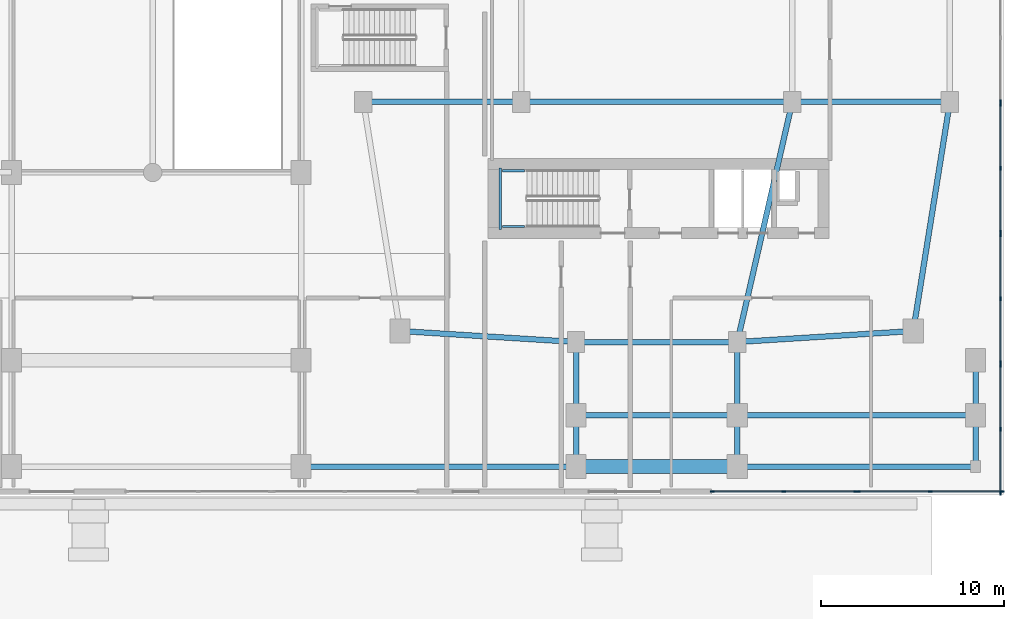
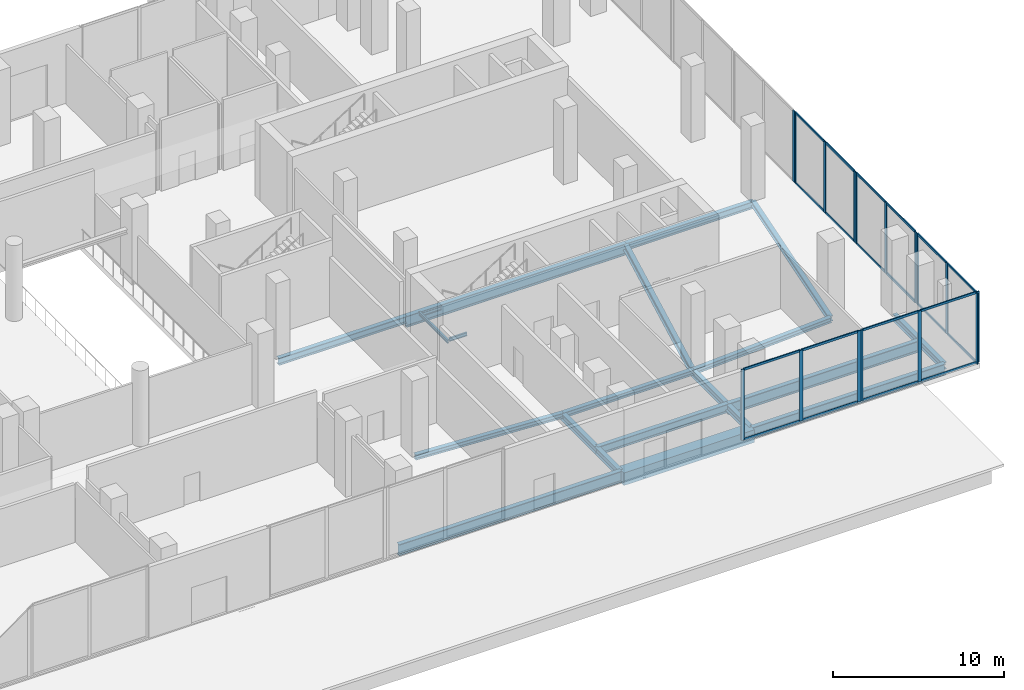
# One storey, part 8 of 24: 36 members, 22 beams, 6 elements without a shape of their own.
"""IFC4 building model written with IfcOpenShell, lengths in metres."""

from ifc_helpers import new_model, si_unit, derived_unit, direction, frame, origin, origin_2d, place, context, subcontext, project, spatial, rectangle, i_section, extrude, material, layer, layer_set, material_profile, profile_set, type_object, element, aggregate, save


model = new_model("IFC4")

# Units and contexts
model_context = context("Model", 3, precision=1e-05, world=origin(), true_north=direction((0.0, 1.0)))
body_context = subcontext(model_context, "Body", "Model", "MODEL_VIEW")
ifc_project = project(units=[si_unit("LENGTHUNIT", "METRE"), si_unit("AREAUNIT", "SQUARE_METRE"), si_unit("VOLUMEUNIT", "CUBIC_METRE"), si_unit("PLANEANGLEUNIT", "RADIAN"), si_unit("MASSUNIT", "GRAM", prefix="KILO"), derived_unit("THERMALTRANSMITTANCEUNIT", [(si_unit("POWERUNIT", "WATT"), 1), (si_unit("LENGTHUNIT", "METRE"), -2), (si_unit("THERMODYNAMICTEMPERATUREUNIT", "KELVIN"), -1)])], contexts=[model_context])

# Site, building, storey
site_placement = place(None, origin())
site = spatial("IfcSite", under=ifc_project, at=site_placement, CompositionType="ELEMENT")
building_placement = place(site_placement, origin())
building = spatial("IfcBuilding", under=site, at=building_placement, Name="Kivonza Crest Hotel", CompositionType="ELEMENT")
storey_placement = place(building_placement, origin())
storey = spatial("IfcBuildingStorey", under=building, at=storey_placement, Name="L00", CompositionType="ELEMENT", Elevation=0.0)

# Beams
ifc_material_1 = material(Name="Steel S355", Category="steel")
ifc_material_profile_1 = material_profile(ifc_material_1, i_section(OverallWidth=0.300048828125, OverallDepth=0.360107421875, WebThickness=0.012451171875, FlangeThickness=0.0224609375, FilletRadius=0.027099609375, at=origin_2d()), Name="HEB 360")
ifc_profile_set_1 = profile_set([ifc_material_profile_1], Name="Steel S355")
beam_type_1 = type_object("IfcBeamType", Name="BM-HEB360", PredefinedType="SPANDREL", material=ifc_profile_set_1)
beam_1_placement = place(storey_placement, frame((72.60009765625, 8.39990234375, -0.530029296875), z_axis=(1.0, 0.0, 0.0), x_axis=(0.0, 1.0, 0.0)))
element("IfcBeam", 1, at=beam_1_placement, inside=storey, type_object=beam_type_1, Name="Companion Tower T2 L00 perimeter spandrel S1-S2", PredefinedType="SPANDREL", context=body_context, shape_type="SweptSolid", body=[
    extrude(i_section(OverallWidth=0.300048828125, OverallDepth=0.360107421875, WebThickness=0.012451171875, FlangeThickness=0.0224609375, FilletRadius=0.027099609375, at=origin_2d()), origin(), (0.0, 0.0, 1.0), 8.7998046875),
])
beam_2_placement = place(storey_placement, frame((81.39990234375, 8.39990234375, -0.530029296875), z_axis=(0.998051985873, 0.062387767186, 0.0), x_axis=(-0.062387767186, 0.998051985873, 0.0)))
element("IfcBeam", 2, at=beam_2_placement, inside=storey, type_object=beam_type_1, Name="Companion Tower T2 L00 perimeter spandrel S2-SE", PredefinedType="SPANDREL", context=body_context, shape_type="SweptSolid", body=[
    extrude(i_section(OverallWidth=0.300048828125, OverallDepth=0.360107421875, WebThickness=0.012451171875, FlangeThickness=0.0224609375, FilletRadius=0.027099609375, at=origin_2d()), origin(), (0.0, 0.0, 1.0), 9.618896484375),
])
beam_3_placement = place(storey_placement, frame((91.0, 9.0, -0.530029296875), z_axis=(0.157990501107, 0.987440631917, 0.0), x_axis=(-0.987440631917, 0.157990501107, 0.0)))
element("IfcBeam", 3, at=beam_3_placement, inside=storey, type_object=beam_type_1, Name="Companion Tower T2 L00 perimeter spandrel SE-E1", PredefinedType="SPANDREL", context=body_context, shape_type="SweptSolid", body=[
    extrude(i_section(OverallWidth=0.300048828125, OverallDepth=0.360107421875, WebThickness=0.012451171875, FlangeThickness=0.0224609375, FilletRadius=0.027099609375, at=origin_2d()), origin(), (0.0, 0.0, 1.0), 12.658935546875),
])
beam_4_placement = place(storey_placement, frame((63.0, 9.0, -0.530029296875), z_axis=(0.998051985873, -0.062387767186, 0.0), x_axis=(0.062387767186, 0.998051985873, 0.0)))
element("IfcBeam", 4, at=beam_4_placement, inside=storey, type_object=beam_type_1, Name="Companion Tower T2 L00 perimeter spandrel SW-S1", PredefinedType="SPANDREL", context=body_context, shape_type="SweptSolid", body=[
    extrude(i_section(OverallWidth=0.300048828125, OverallDepth=0.360107421875, WebThickness=0.012451171875, FlangeThickness=0.0224609375, FilletRadius=0.027099609375, at=origin_2d()), origin(), (0.0, 0.0, 1.0), 9.618896484375),
])
ifc_material_profile_2 = material_profile(ifc_material_1, i_section(OverallWidth=0.300048828125, OverallDepth=0.5, WebThickness=0.014404296875, FlangeThickness=0.028076171875, FilletRadius=0.027099609375, at=origin_2d()), Name="HEB 500")
ifc_profile_set_2 = profile_set([ifc_material_profile_2], Name="Steel S355")
beam_type_2 = type_object("IfcBeamType", Name="BM-HEB500", PredefinedType="BEAM", material=ifc_profile_set_2)
for number, where, z_axis, x_axis, name in (
    (5, (61.0, 21.5, -0.60009765625), (1.0, 0.0, 0.0), (0.0, 1.0, 0.0), "Companion Tower T2 L00 girder W1-WL1"),
    (6, (84.39990234375, 21.5, -0.60009765625), (1.0, 0.0, 0.0), (0.0, 1.0, 0.0), "Companion Tower T2 L00 girder WR1-E1"),
):
    element("IfcBeam", number, at=place(storey_placement, frame(where, z_axis=z_axis, x_axis=x_axis)), inside=storey, type_object=beam_type_2, Name=name, PredefinedType="BEAM", context=body_context, shape_type="SweptSolid", body=[
        extrude(i_section(OverallWidth=0.300048828125, OverallDepth=0.5, WebThickness=0.014404296875, FlangeThickness=0.028076171875, FilletRadius=0.027099609375, at=origin_2d()), origin(), (0.0, 0.0, 1.0), 8.60009765625),
    ])
beam_5_placement = place(storey_placement, frame((84.39990234375, 21.5, -0.60009765625), z_axis=(-0.223227287589, -0.974766422317, 0.0), x_axis=(0.974766422317, -0.223227287589, 0.0)))
element("IfcBeam", 7, at=beam_5_placement, inside=storey, type_object=beam_type_2, Name="Companion Tower T2 L00 girder WR1-S2", PredefinedType="BEAM", context=body_context, shape_type="SweptSolid", body=[
    extrude(i_section(OverallWidth=0.300048828125, OverallDepth=0.5, WebThickness=0.014404296875, FlangeThickness=0.028076171875, FilletRadius=0.027099609375, at=origin_2d()), origin(), (0.0, 0.0, 1.0), 13.439208984375),
])
beam_6_placement = place(storey_placement, frame((72.60009765625, 1.60009765625, -0.60009765625), z_axis=(0.0, 1.0, 0.0), x_axis=(-1.0, 0.0, 0.0)))
element("IfcBeam", 8, at=beam_6_placement, inside=storey, type_object=beam_type_2, Name="L00 podium girder Y 83", PredefinedType="BEAM", context=body_context, shape_type="SweptSolid", body=[
    extrude(i_section(OverallWidth=0.300048828125, OverallDepth=0.5, WebThickness=0.014404296875, FlangeThickness=0.028076171875, FilletRadius=0.027099609375, at=origin_2d()), origin(), (0.0, 0.0, 1.0), 2.7998046875),
])
beam_7_placement = place(storey_placement, frame((72.60009765625, 4.39990234375, -0.60009765625), z_axis=(0.0, 1.0, 0.0), x_axis=(-1.0, 0.0, 0.0)))
element("IfcBeam", 9, at=beam_7_placement, inside=storey, type_object=beam_type_2, Name="L00 podium girder Y 84", PredefinedType="BEAM", context=body_context, shape_type="SweptSolid", body=[
    extrude(i_section(OverallWidth=0.300048828125, OverallDepth=0.5, WebThickness=0.014404296875, FlangeThickness=0.028076171875, FilletRadius=0.027099609375, at=origin_2d()), origin(), (0.0, 0.0, 1.0), 4.0),
])
beam_8_placement = place(storey_placement, frame((81.39990234375, 1.60009765625, -0.60009765625), z_axis=(0.0, 1.0, 0.0), x_axis=(-1.0, 0.0, 0.0)))
element("IfcBeam", 10, at=beam_8_placement, inside=storey, type_object=beam_type_2, Name="L00 podium girder Y 87", PredefinedType="BEAM", context=body_context, shape_type="SweptSolid", body=[
    extrude(i_section(OverallWidth=0.300048828125, OverallDepth=0.5, WebThickness=0.014404296875, FlangeThickness=0.028076171875, FilletRadius=0.027099609375, at=origin_2d()), origin(), (0.0, 0.0, 1.0), 2.7998046875),
])
beam_9_placement = place(storey_placement, frame((81.39990234375, 4.39990234375, -0.60009765625), z_axis=(0.0, 1.0, 0.0), x_axis=(-1.0, 0.0, 0.0)))
element("IfcBeam", 11, at=beam_9_placement, inside=storey, type_object=beam_type_2, Name="L00 podium girder Y 88", PredefinedType="BEAM", context=body_context, shape_type="SweptSolid", body=[
    extrude(i_section(OverallWidth=0.300048828125, OverallDepth=0.5, WebThickness=0.014404296875, FlangeThickness=0.028076171875, FilletRadius=0.027099609375, at=origin_2d()), origin(), (0.0, 0.0, 1.0), 4.0),
])
beam_10_placement = place(storey_placement, frame((94.39990234375, 1.60009765625, -0.60009765625), z_axis=(0.0, 1.0, 0.0), x_axis=(-1.0, 0.0, 0.0)))
element("IfcBeam", 12, at=beam_10_placement, inside=storey, type_object=beam_type_2, Name="L00 podium girder Y 93", PredefinedType="BEAM", context=body_context, shape_type="SweptSolid", body=[
    extrude(i_section(OverallWidth=0.300048828125, OverallDepth=0.5, WebThickness=0.014404296875, FlangeThickness=0.028076171875, FilletRadius=0.027099609375, at=origin_2d()), origin(), (0.0, 0.0, 1.0), 2.7998046875),
])
beam_11_placement = place(storey_placement, frame((94.39990234375, 4.39990234375, -0.60009765625), z_axis=(0.0, 1.0, 0.0), x_axis=(-1.0, 0.0, 0.0)))
element("IfcBeam", 13, at=beam_11_placement, inside=storey, type_object=beam_type_2, Name="L00 podium girder Y 94", PredefinedType="BEAM", context=body_context, shape_type="SweptSolid", body=[
    extrude(i_section(OverallWidth=0.300048828125, OverallDepth=0.5, WebThickness=0.014404296875, FlangeThickness=0.028076171875, FilletRadius=0.027099609375, at=origin_2d()), origin(), (0.0, 0.0, 1.0), 3.0),
])
ifc_material_profile_3 = material_profile(ifc_material_1, i_section(OverallWidth=0.300048828125, OverallDepth=0.60009765625, WebThickness=0.015380859375, FlangeThickness=0.030029296875, FilletRadius=0.027099609375, at=origin_2d()), Name="HEB 600")
ifc_profile_set_3 = profile_set([ifc_material_profile_3], Name="Steel S355")
beam_type_3 = type_object("IfcBeamType", Name="BM-HEB600", PredefinedType="BEAM", material=ifc_profile_set_3)
beam_12_placement = place(storey_placement, frame((72.60009765625, 4.39990234375, -0.64990234375), z_axis=(1.0, 0.0, 0.0), x_axis=(0.0, 1.0, 0.0)))
element("IfcBeam", 14, at=beam_12_placement, inside=storey, type_object=beam_type_3, Name="L00 podium girder X 10", PredefinedType="BEAM", context=body_context, shape_type="SweptSolid", body=[
    extrude(i_section(OverallWidth=0.300048828125, OverallDepth=0.60009765625, WebThickness=0.015380859375, FlangeThickness=0.030029296875, FilletRadius=0.027099609375, at=origin_2d()), origin(), (0.0, 0.0, 1.0), 8.7998046875),
])
ifc_material_profile_4 = material_profile(ifc_material_1, i_section(OverallWidth=0.300048828125, OverallDepth=0.800048828125, WebThickness=0.017578125, FlangeThickness=0.032958984375, FilletRadius=0.030029296875, at=origin_2d()), Name="HEB 800")
ifc_profile_set_4 = profile_set([ifc_material_profile_4], Name="Steel S355")
beam_type_4 = type_object("IfcBeamType", Name="BM-HEB800", PredefinedType="BEAM", material=ifc_profile_set_4)
beam_13_placement = place(storey_placement, frame((57.60009765625, 1.60009765625, -0.75), z_axis=(1.0, 0.0, 0.0), x_axis=(0.0, 1.0, 0.0)))
element("IfcBeam", 15, at=beam_13_placement, inside=storey, type_object=beam_type_4, Name="L00 podium girder X 5", PredefinedType="BEAM", context=body_context, shape_type="SweptSolid", body=[
    extrude(i_section(OverallWidth=0.300048828125, OverallDepth=0.800048828125, WebThickness=0.017578125, FlangeThickness=0.032958984375, FilletRadius=0.030029296875, at=origin_2d()), origin(), (0.0, 0.0, 1.0), 15.0),
])
for number, where, z_axis, x_axis, name in (
    (16, (81.39990234375, 1.60009765625, -0.75), (1.0, 0.0, 0.0), (0.0, 1.0, 0.0), "L00 podium girder X 7"),
    (17, (81.39990234375, 4.39990234375, -0.75), (1.0, 0.0, 0.0), (0.0, 1.0, 0.0), "L00 podium girder X 11"),
):
    element("IfcBeam", number, at=place(storey_placement, frame(where, z_axis=z_axis, x_axis=x_axis)), inside=storey, type_object=beam_type_4, Name=name, PredefinedType="BEAM", context=body_context, shape_type="SweptSolid", body=[
        extrude(i_section(OverallWidth=0.300048828125, OverallDepth=0.800048828125, WebThickness=0.017578125, FlangeThickness=0.032958984375, FilletRadius=0.030029296875, at=origin_2d()), origin(), (0.0, 0.0, 1.0), 13.0),
    ])
beam_14_placement = place(storey_placement, frame((69.60009765625, 21.5, -0.75), z_axis=(1.0, 0.0, 0.0), x_axis=(0.0, 1.0, 0.0)))
element("IfcBeam", 18, at=beam_14_placement, inside=storey, type_object=beam_type_4, Name="L00 podium girder X 23", PredefinedType="BEAM", context=body_context, shape_type="SweptSolid", body=[
    extrude(i_section(OverallWidth=0.300048828125, OverallDepth=0.800048828125, WebThickness=0.017578125, FlangeThickness=0.032958984375, FilletRadius=0.030029296875, at=origin_2d()), origin(), (0.0, 0.0, 1.0), 14.7998046875),
])
ifc_material_profile_5 = material_profile(ifc_material_1, i_section(OverallWidth=0.1201171875, OverallDepth=0.239990234375, WebThickness=0.006103515625, FlangeThickness=0.009765625, FilletRadius=0.014892578125, at=origin_2d()), Name="IPE 240")
ifc_profile_set_5 = profile_set([ifc_material_profile_5], Name="Steel S355")
beam_type_5 = type_object("IfcBeamType", Name="BM-LLDG-240", PredefinedType="BEAM", material=ifc_profile_set_5)
beam_15_placement = place(storey_placement, frame((68.4599609375, 14.5400390625, 2.3798828125), z_axis=(0.0, 1.0, 0.0), x_axis=(-1.0, 0.0, 0.0)))
element("IfcBeam", 19, at=beam_15_placement, inside=storey, type_object=beam_type_5, Name="Stair ST-T2-S L00 West landing corbel", PredefinedType="BEAM", context=body_context, shape_type="SweptSolid", body=[
    extrude(i_section(OverallWidth=0.1201171875, OverallDepth=0.239990234375, WebThickness=0.006103515625, FlangeThickness=0.009765625, FilletRadius=0.014892578125, at=origin_2d()), origin(), (0.0, 0.0, 1.0), 3.35986328125),
])
for number, where, z_axis, x_axis, name in (
    (20, (68.590087890625, 14.699951171875, 2.3798828125), (1.0, 0.0, 0.0), (0.0, 1.0, 0.0), "Stair ST-T2-S L00 South landing corbel"),
    (21, (68.590087890625, 17.739990234375, 2.3798828125), (1.0, 0.0, 0.0), (0.0, 1.0, 0.0), "Stair ST-T2-S L00 North landing corbel"),
):
    element("IfcBeam", number, at=place(storey_placement, frame(where, z_axis=z_axis, x_axis=x_axis)), inside=storey, type_object=beam_type_5, Name=name, PredefinedType="BEAM", context=body_context, shape_type="SweptSolid", body=[
        extrude(i_section(OverallWidth=0.1201171875, OverallDepth=0.239990234375, WebThickness=0.006103515625, FlangeThickness=0.009765625, FilletRadius=0.014892578125, at=origin_2d()), origin(), (0.0, 0.0, 1.0), 1.2099609375),
    ])
ifc_material_2 = material(Name="Concrete C40/50", Category="concrete")
ifc_material_profile_6 = material_profile(ifc_material_2, rectangle(XDim=0.75, YDim=0.89990234375, at=origin_2d()), Name="RC 900x750")
ifc_profile_set_6 = profile_set([ifc_material_profile_6], Name="Concrete C40/50")
beam_type_6 = type_object("IfcBeamType", Name="BM-RCT-900x750", PredefinedType="T_BEAM", material=ifc_profile_set_6)
beam_16_placement = place(storey_placement, frame((72.60009765625, 1.60009765625, -0.800048828125), z_axis=(1.0, 0.0, 0.0), x_axis=(0.0, 1.0, 0.0)))
element("IfcBeam", 22, at=beam_16_placement, inside=storey, type_object=beam_type_6, Name="L00 reinforced concrete T-beam 6", PredefinedType="T_BEAM", context=body_context, shape_type="SweptSolid", body=[
    extrude(rectangle(XDim=0.75, YDim=0.89990234375, at=origin_2d()), origin(), (0.0, 0.0, 1.0), 8.7998046875),
])

# Curtain wall, members
ifc_material_3 = material(Name="Anodised bronze aluminium and low-E double glazing", Category="aluminium")
ifc_layer = layer(ifc_material_3, 0.219970703125)
ifc_layer_set = layer_set([ifc_layer], Name="Anodised bronze aluminium and low-E double glazing")
curtain_wall_type = type_object("IfcCurtainWallType", Name="CW-SYS-1", PredefinedType="NOTDEFINED", material=ifc_layer_set)
curtain_wall_1_placement = place(storey_placement, origin())
curtain_wall_1 = element("IfcCurtainWall", 23, at=curtain_wall_1_placement, inside=storey, type_object=curtain_wall_type, Name="L00 unitised curtain wall CW-POD-L00-11", PredefinedType="NOTDEFINED")
ifc_material_4 = material(Name="Anodised bronze aluminium", Category="aluminium")
ifc_material_profile_7 = material_profile(ifc_material_4, rectangle(XDim=0.074951171875, YDim=0.219970703125, at=origin_2d()), Name="CW-M 75x220")
ifc_profile_set_7 = profile_set([ifc_material_profile_7], Name="Anodised bronze aluminium")
member_type_1 = type_object("IfcMemberType", Name="CW-MUL-75x220", PredefinedType="MULLION", material=ifc_profile_set_7)
member_1_placement = place(storey_placement, frame((80.0244140625, 0.239990234375, 0.0), z_axis=(0.0, 0.0, 1.0), x_axis=(0.0, 1.0, 0.0)))
member_1 = element("IfcMember", 24, at=member_1_placement, type_object=member_type_1, Name="CW-1 mullion 1", PredefinedType="MULLION", context=body_context, shape_type="SweptSolid", body=[
    extrude(rectangle(XDim=0.074951171875, YDim=0.219970703125, at=origin_2d()), origin(), (0.0, 0.0, 1.0), 5.050048828125),
])
member_2_placement = place(storey_placement, frame((83.93994140625, 0.239990234375, 0.0), z_axis=(0.0, 0.0, 1.0), x_axis=(0.0, 1.0, 0.0)))
member_2 = element("IfcMember", 25, at=member_2_placement, type_object=member_type_1, Name="CW-1 mullion 2", PredefinedType="MULLION", context=body_context, shape_type="SweptSolid", body=[
    extrude(rectangle(XDim=0.074951171875, YDim=0.219970703125, at=origin_2d()), origin(), (0.0, 0.0, 1.0), 5.050048828125),
])
member_3_placement = place(storey_placement, frame((87.85546875, 0.239990234375, 0.0), z_axis=(0.0, 0.0, 1.0), x_axis=(0.0, 1.0, 0.0)))
member_3 = element("IfcMember", 26, at=member_3_placement, type_object=member_type_1, Name="CW-1 mullion 3", PredefinedType="MULLION", context=body_context, shape_type="SweptSolid", body=[
    extrude(rectangle(XDim=0.074951171875, YDim=0.219970703125, at=origin_2d()), origin(), (0.0, 0.0, 1.0), 5.050048828125),
])

curtain_wall_2_placement = place(storey_placement, origin())
curtain_wall_2 = element("IfcCurtainWall", 27, at=curtain_wall_2_placement, inside=storey, type_object=curtain_wall_type, Name="L00 unitised curtain wall CW-POD-L00-12", PredefinedType="NOTDEFINED")
member_4_placement = place(storey_placement, frame((88.010498046875, 0.239990234375, 0.0), z_axis=(0.0, 0.0, 1.0), x_axis=(0.0, 1.0, 0.0)))
member_4 = element("IfcMember", 28, at=member_4_placement, type_object=member_type_1, Name="CW-1 mullion 1", PredefinedType="MULLION", context=body_context, shape_type="SweptSolid", body=[
    extrude(rectangle(XDim=0.074951171875, YDim=0.219970703125, at=origin_2d()), origin(), (0.0, 0.0, 1.0), 5.050048828125),
])
member_5_placement = place(storey_placement, frame((91.926513671875, 0.239990234375, 0.0), z_axis=(0.0, 0.0, 1.0), x_axis=(0.0, 1.0, 0.0)))
member_5 = element("IfcMember", 29, at=member_5_placement, type_object=member_type_1, Name="CW-1 mullion 2", PredefinedType="MULLION", context=body_context, shape_type="SweptSolid", body=[
    extrude(rectangle(XDim=0.074951171875, YDim=0.219970703125, at=origin_2d()), origin(), (0.0, 0.0, 1.0), 5.050048828125),
])
member_6_placement = place(storey_placement, frame((95.842529296875, 0.239990234375, 0.0), z_axis=(0.0, 0.0, 1.0), x_axis=(0.0, 1.0, 0.0)))
member_6 = element("IfcMember", 30, at=member_6_placement, type_object=member_type_1, Name="CW-1 mullion 3", PredefinedType="MULLION", context=body_context, shape_type="SweptSolid", body=[
    extrude(rectangle(XDim=0.074951171875, YDim=0.219970703125, at=origin_2d()), origin(), (0.0, 0.0, 1.0), 5.050048828125),
])

curtain_wall_3_placement = place(storey_placement, origin())
curtain_wall_3 = element("IfcCurtainWall", 31, at=curtain_wall_3_placement, inside=storey, type_object=curtain_wall_type, Name="L00 unitised curtain wall CW-POD-L00-13", PredefinedType="NOTDEFINED")
member_7_placement = place(storey_placement, frame((95.760009765625, 0.157470703125, 0.0), z_axis=(0.0, 0.0, 1.0), x_axis=(-1.0, 0.0, 0.0)))
member_7 = element("IfcMember", 32, at=member_7_placement, type_object=member_type_1, Name="CW-1 mullion 1", PredefinedType="MULLION", context=body_context, shape_type="SweptSolid", body=[
    extrude(rectangle(XDim=0.074951171875, YDim=0.219970703125, at=origin_2d()), origin(), (0.0, 0.0, 1.0), 5.050048828125),
])
member_8_placement = place(storey_placement, frame((95.760009765625, 3.639892578125, 0.0), z_axis=(0.0, 0.0, 1.0), x_axis=(-1.0, 0.0, 0.0)))
member_8 = element("IfcMember", 33, at=member_8_placement, type_object=member_type_1, Name="CW-1 mullion 2", PredefinedType="MULLION", context=body_context, shape_type="SweptSolid", body=[
    extrude(rectangle(XDim=0.074951171875, YDim=0.219970703125, at=origin_2d()), origin(), (0.0, 0.0, 1.0), 5.050048828125),
])
member_9_placement = place(storey_placement, frame((95.760009765625, 7.12255859375, 0.0), z_axis=(0.0, 0.0, 1.0), x_axis=(-1.0, 0.0, 0.0)))
member_9 = element("IfcMember", 34, at=member_9_placement, type_object=member_type_1, Name="CW-1 mullion 3", PredefinedType="MULLION", context=body_context, shape_type="SweptSolid", body=[
    extrude(rectangle(XDim=0.074951171875, YDim=0.219970703125, at=origin_2d()), origin(), (0.0, 0.0, 1.0), 5.050048828125),
])

curtain_wall_4_placement = place(storey_placement, origin())
curtain_wall_4 = element("IfcCurtainWall", 35, at=curtain_wall_4_placement, inside=storey, type_object=curtain_wall_type, Name="L00 unitised curtain wall CW-POD-L00-14", PredefinedType="NOTDEFINED")
member_10_placement = place(storey_placement, frame((95.760009765625, 7.277587890625, 0.0), z_axis=(0.0, 0.0, 1.0), x_axis=(-1.0, 0.0, 0.0)))
member_10 = element("IfcMember", 36, at=member_10_placement, type_object=member_type_1, Name="CW-1 mullion 1", PredefinedType="MULLION", context=body_context, shape_type="SweptSolid", body=[
    extrude(rectangle(XDim=0.074951171875, YDim=0.219970703125, at=origin_2d()), origin(), (0.0, 0.0, 1.0), 5.050048828125),
])
member_11_placement = place(storey_placement, frame((95.760009765625, 10.760009765625, 0.0), z_axis=(0.0, 0.0, 1.0), x_axis=(-1.0, 0.0, 0.0)))
member_11 = element("IfcMember", 37, at=member_11_placement, type_object=member_type_1, Name="CW-1 mullion 2", PredefinedType="MULLION", context=body_context, shape_type="SweptSolid", body=[
    extrude(rectangle(XDim=0.074951171875, YDim=0.219970703125, at=origin_2d()), origin(), (0.0, 0.0, 1.0), 5.050048828125),
])
member_12_placement = place(storey_placement, frame((95.760009765625, 14.242431640625, 0.0), z_axis=(0.0, 0.0, 1.0), x_axis=(-1.0, 0.0, 0.0)))
member_12 = element("IfcMember", 38, at=member_12_placement, type_object=member_type_1, Name="CW-1 mullion 3", PredefinedType="MULLION", context=body_context, shape_type="SweptSolid", body=[
    extrude(rectangle(XDim=0.074951171875, YDim=0.219970703125, at=origin_2d()), origin(), (0.0, 0.0, 1.0), 5.050048828125),
])

curtain_wall_5_placement = place(storey_placement, origin())
curtain_wall_5 = element("IfcCurtainWall", 39, at=curtain_wall_5_placement, inside=storey, type_object=curtain_wall_type, Name="L00 unitised curtain wall CW-POD-L00-15", PredefinedType="NOTDEFINED")
member_13_placement = place(storey_placement, frame((95.760009765625, 14.3974609375, 0.0), z_axis=(0.0, 0.0, 1.0), x_axis=(-1.0, 0.0, 0.0)))
member_13 = element("IfcMember", 40, at=member_13_placement, type_object=member_type_1, Name="CW-1 mullion 1", PredefinedType="MULLION", context=body_context, shape_type="SweptSolid", body=[
    extrude(rectangle(XDim=0.074951171875, YDim=0.219970703125, at=origin_2d()), origin(), (0.0, 0.0, 1.0), 5.050048828125),
])
member_14_placement = place(storey_placement, frame((95.760009765625, 17.8798828125, 0.0), z_axis=(0.0, 0.0, 1.0), x_axis=(-1.0, 0.0, 0.0)))
member_14 = element("IfcMember", 41, at=member_14_placement, type_object=member_type_1, Name="CW-1 mullion 2", PredefinedType="MULLION", context=body_context, shape_type="SweptSolid", body=[
    extrude(rectangle(XDim=0.074951171875, YDim=0.219970703125, at=origin_2d()), origin(), (0.0, 0.0, 1.0), 5.050048828125),
])
member_15_placement = place(storey_placement, frame((95.760009765625, 21.362548828125, 0.0), z_axis=(0.0, 0.0, 1.0), x_axis=(-1.0, 0.0, 0.0)))
member_15 = element("IfcMember", 42, at=member_15_placement, type_object=member_type_1, Name="CW-1 mullion 3", PredefinedType="MULLION", context=body_context, shape_type="SweptSolid", body=[
    extrude(rectangle(XDim=0.074951171875, YDim=0.219970703125, at=origin_2d()), origin(), (0.0, 0.0, 1.0), 5.050048828125),
])

# Curtain wall, member
curtain_wall_6_placement = place(storey_placement, origin())
curtain_wall_6 = element("IfcCurtainWall", 43, at=curtain_wall_6_placement, inside=storey, type_object=curtain_wall_type, Name="L00 unitised curtain wall CW-POD-L00-16", PredefinedType="NOTDEFINED")
member_16_placement = place(storey_placement, frame((95.760009765625, 21.517578125, 0.0), z_axis=(0.0, 0.0, 1.0), x_axis=(-1.0, 0.0, 0.0)))
member_16 = element("IfcMember", 44, at=member_16_placement, type_object=member_type_1, Name="CW-1 mullion 1", PredefinedType="MULLION", context=body_context, shape_type="SweptSolid", body=[
    extrude(rectangle(XDim=0.074951171875, YDim=0.219970703125, at=origin_2d()), origin(), (0.0, 0.0, 1.0), 5.050048828125),
])
aggregate(curtain_wall_6, [member_16])

# Member
ifc_material_profile_8 = material_profile(ifc_material_4, rectangle(XDim=0.074951171875, YDim=0.159912109375, at=origin_2d()), Name="CW-T 75x160")
ifc_profile_set_8 = profile_set([ifc_material_profile_8], Name="Anodised bronze aluminium")
member_type_2 = type_object("IfcMemberType", Name="CW-TRN-75x160", PredefinedType="USERDEFINED", material=ifc_profile_set_8)
member_17_placement = place(storey_placement, frame((80.06201171875, 0.239990234375, 0.03759765625), z_axis=(1.0, 0.0, 0.0), x_axis=(0.0, 1.0, 0.0)))
member_17 = element("IfcMember", 45, at=member_17_placement, type_object=member_type_2, Name="CW-1 transom 1.1", ObjectType="TRANSOM", PredefinedType="USERDEFINED", context=body_context, shape_type="SweptSolid", body=[
    extrude(rectangle(XDim=0.074951171875, YDim=0.159912109375, at=origin_2d()), origin(), (0.0, 0.0, 1.0), 3.840576171875),
])

member_18_placement = place(storey_placement, frame((80.06201171875, 0.239990234375, 5.012451171875), z_axis=(1.0, 0.0, 0.0), x_axis=(0.0, 1.0, 0.0)))
member_18 = element("IfcMember", 46, at=member_18_placement, type_object=member_type_2, Name="CW-1 transom 1.2", ObjectType="TRANSOM", PredefinedType="USERDEFINED", context=body_context, shape_type="SweptSolid", body=[
    extrude(rectangle(XDim=0.074951171875, YDim=0.159912109375, at=origin_2d()), origin(), (0.0, 0.0, 1.0), 3.840576171875),
])

member_19_placement = place(storey_placement, frame((83.9775390625, 0.239990234375, 0.03759765625), z_axis=(1.0, 0.0, 0.0), x_axis=(0.0, 1.0, 0.0)))
member_19 = element("IfcMember", 47, at=member_19_placement, type_object=member_type_2, Name="CW-1 transom 2.1", ObjectType="TRANSOM", PredefinedType="USERDEFINED", context=body_context, shape_type="SweptSolid", body=[
    extrude(rectangle(XDim=0.074951171875, YDim=0.159912109375, at=origin_2d()), origin(), (0.0, 0.0, 1.0), 3.840576171875),
])

member_20_placement = place(storey_placement, frame((83.9775390625, 0.239990234375, 5.012451171875), z_axis=(1.0, 0.0, 0.0), x_axis=(0.0, 1.0, 0.0)))
member_20 = element("IfcMember", 48, at=member_20_placement, type_object=member_type_2, Name="CW-1 transom 2.2", ObjectType="TRANSOM", PredefinedType="USERDEFINED", context=body_context, shape_type="SweptSolid", body=[
    extrude(rectangle(XDim=0.074951171875, YDim=0.159912109375, at=origin_2d()), origin(), (0.0, 0.0, 1.0), 3.840576171875),
])

aggregate(curtain_wall_1, [member_1, member_2, member_3, member_17, member_18, member_19, member_20])

member_21_placement = place(storey_placement, frame((88.048095703125, 0.239990234375, 0.03759765625), z_axis=(1.0, 0.0, 0.0), x_axis=(0.0, 1.0, 0.0)))
member_21 = element("IfcMember", 49, at=member_21_placement, type_object=member_type_2, Name="CW-1 transom 1.1", ObjectType="TRANSOM", PredefinedType="USERDEFINED", context=body_context, shape_type="SweptSolid", body=[
    extrude(rectangle(XDim=0.074951171875, YDim=0.159912109375, at=origin_2d()), origin(), (0.0, 0.0, 1.0), 3.8408203125),
])

member_22_placement = place(storey_placement, frame((88.048095703125, 0.239990234375, 5.012451171875), z_axis=(1.0, 0.0, 0.0), x_axis=(0.0, 1.0, 0.0)))
member_22 = element("IfcMember", 50, at=member_22_placement, type_object=member_type_2, Name="CW-1 transom 1.2", ObjectType="TRANSOM", PredefinedType="USERDEFINED", context=body_context, shape_type="SweptSolid", body=[
    extrude(rectangle(XDim=0.074951171875, YDim=0.159912109375, at=origin_2d()), origin(), (0.0, 0.0, 1.0), 3.8408203125),
])

member_23_placement = place(storey_placement, frame((91.964111328125, 0.239990234375, 0.03759765625), z_axis=(1.0, 0.0, 0.0), x_axis=(0.0, 1.0, 0.0)))
member_23 = element("IfcMember", 51, at=member_23_placement, type_object=member_type_2, Name="CW-1 transom 2.1", ObjectType="TRANSOM", PredefinedType="USERDEFINED", context=body_context, shape_type="SweptSolid", body=[
    extrude(rectangle(XDim=0.074951171875, YDim=0.159912109375, at=origin_2d()), origin(), (0.0, 0.0, 1.0), 3.8408203125),
])

member_24_placement = place(storey_placement, frame((91.964111328125, 0.239990234375, 5.012451171875), z_axis=(1.0, 0.0, 0.0), x_axis=(0.0, 1.0, 0.0)))
member_24 = element("IfcMember", 52, at=member_24_placement, type_object=member_type_2, Name="CW-1 transom 2.2", ObjectType="TRANSOM", PredefinedType="USERDEFINED", context=body_context, shape_type="SweptSolid", body=[
    extrude(rectangle(XDim=0.074951171875, YDim=0.159912109375, at=origin_2d()), origin(), (0.0, 0.0, 1.0), 3.8408203125),
])

aggregate(curtain_wall_2, [member_4, member_5, member_6, member_21, member_22, member_23, member_24])

member_25_placement = place(storey_placement, frame((95.760009765625, 0.195068359375, 0.03759765625), z_axis=(0.0, 1.0, 0.0), x_axis=(-1.0, 0.0, 0.0)))
member_25 = element("IfcMember", 53, at=member_25_placement, type_object=member_type_2, Name="CW-1 transom 1.1", ObjectType="TRANSOM", PredefinedType="USERDEFINED", context=body_context, shape_type="SweptSolid", body=[
    extrude(rectangle(XDim=0.074951171875, YDim=0.159912109375, at=origin_2d()), origin(), (0.0, 0.0, 1.0), 3.407470703125),
])

member_26_placement = place(storey_placement, frame((95.760009765625, 0.195068359375, 5.012451171875), z_axis=(0.0, 1.0, 0.0), x_axis=(-1.0, 0.0, 0.0)))
member_26 = element("IfcMember", 54, at=member_26_placement, type_object=member_type_2, Name="CW-1 transom 1.2", ObjectType="TRANSOM", PredefinedType="USERDEFINED", context=body_context, shape_type="SweptSolid", body=[
    extrude(rectangle(XDim=0.074951171875, YDim=0.159912109375, at=origin_2d()), origin(), (0.0, 0.0, 1.0), 3.407470703125),
])

member_27_placement = place(storey_placement, frame((95.760009765625, 3.677490234375, 0.03759765625), z_axis=(0.0, 1.0, 0.0), x_axis=(-1.0, 0.0, 0.0)))
member_27 = element("IfcMember", 55, at=member_27_placement, type_object=member_type_2, Name="CW-1 transom 2.1", ObjectType="TRANSOM", PredefinedType="USERDEFINED", context=body_context, shape_type="SweptSolid", body=[
    extrude(rectangle(XDim=0.074951171875, YDim=0.159912109375, at=origin_2d()), origin(), (0.0, 0.0, 1.0), 3.407470703125),
])

member_28_placement = place(storey_placement, frame((95.760009765625, 3.677490234375, 5.012451171875), z_axis=(0.0, 1.0, 0.0), x_axis=(-1.0, 0.0, 0.0)))
member_28 = element("IfcMember", 56, at=member_28_placement, type_object=member_type_2, Name="CW-1 transom 2.2", ObjectType="TRANSOM", PredefinedType="USERDEFINED", context=body_context, shape_type="SweptSolid", body=[
    extrude(rectangle(XDim=0.074951171875, YDim=0.159912109375, at=origin_2d()), origin(), (0.0, 0.0, 1.0), 3.407470703125),
])

aggregate(curtain_wall_3, [member_7, member_8, member_9, member_25, member_26, member_27, member_28])

member_29_placement = place(storey_placement, frame((95.760009765625, 7.31494140625, 0.03759765625), z_axis=(0.0, 1.0, 0.0), x_axis=(-1.0, 0.0, 0.0)))
member_29 = element("IfcMember", 57, at=member_29_placement, type_object=member_type_2, Name="CW-1 transom 1.1", ObjectType="TRANSOM", PredefinedType="USERDEFINED", context=body_context, shape_type="SweptSolid", body=[
    extrude(rectangle(XDim=0.074951171875, YDim=0.159912109375, at=origin_2d()), origin(), (0.0, 0.0, 1.0), 3.407470703125),
])

member_30_placement = place(storey_placement, frame((95.760009765625, 7.31494140625, 5.012451171875), z_axis=(0.0, 1.0, 0.0), x_axis=(-1.0, 0.0, 0.0)))
member_30 = element("IfcMember", 58, at=member_30_placement, type_object=member_type_2, Name="CW-1 transom 1.2", ObjectType="TRANSOM", PredefinedType="USERDEFINED", context=body_context, shape_type="SweptSolid", body=[
    extrude(rectangle(XDim=0.074951171875, YDim=0.159912109375, at=origin_2d()), origin(), (0.0, 0.0, 1.0), 3.407470703125),
])

member_31_placement = place(storey_placement, frame((95.760009765625, 10.797607421875, 0.03759765625), z_axis=(0.0, 1.0, 0.0), x_axis=(-1.0, 0.0, 0.0)))
member_31 = element("IfcMember", 59, at=member_31_placement, type_object=member_type_2, Name="CW-1 transom 2.1", ObjectType="TRANSOM", PredefinedType="USERDEFINED", context=body_context, shape_type="SweptSolid", body=[
    extrude(rectangle(XDim=0.074951171875, YDim=0.159912109375, at=origin_2d()), origin(), (0.0, 0.0, 1.0), 3.407470703125),
])

member_32_placement = place(storey_placement, frame((95.760009765625, 10.797607421875, 5.012451171875), z_axis=(0.0, 1.0, 0.0), x_axis=(-1.0, 0.0, 0.0)))
member_32 = element("IfcMember", 60, at=member_32_placement, type_object=member_type_2, Name="CW-1 transom 2.2", ObjectType="TRANSOM", PredefinedType="USERDEFINED", context=body_context, shape_type="SweptSolid", body=[
    extrude(rectangle(XDim=0.074951171875, YDim=0.159912109375, at=origin_2d()), origin(), (0.0, 0.0, 1.0), 3.407470703125),
])

aggregate(curtain_wall_4, [member_10, member_11, member_12, member_29, member_30, member_31, member_32])

member_33_placement = place(storey_placement, frame((95.760009765625, 14.43505859375, 0.03759765625), z_axis=(0.0, 1.0, 0.0), x_axis=(-1.0, 0.0, 0.0)))
member_33 = element("IfcMember", 61, at=member_33_placement, type_object=member_type_2, Name="CW-1 transom 1.1", ObjectType="TRANSOM", PredefinedType="USERDEFINED", context=body_context, shape_type="SweptSolid", body=[
    extrude(rectangle(XDim=0.074951171875, YDim=0.159912109375, at=origin_2d()), origin(), (0.0, 0.0, 1.0), 3.407470703125),
])

member_34_placement = place(storey_placement, frame((95.760009765625, 14.43505859375, 5.012451171875), z_axis=(0.0, 1.0, 0.0), x_axis=(-1.0, 0.0, 0.0)))
member_34 = element("IfcMember", 62, at=member_34_placement, type_object=member_type_2, Name="CW-1 transom 1.2", ObjectType="TRANSOM", PredefinedType="USERDEFINED", context=body_context, shape_type="SweptSolid", body=[
    extrude(rectangle(XDim=0.074951171875, YDim=0.159912109375, at=origin_2d()), origin(), (0.0, 0.0, 1.0), 3.407470703125),
])

member_35_placement = place(storey_placement, frame((95.760009765625, 17.91748046875, 0.03759765625), z_axis=(0.0, 1.0, 0.0), x_axis=(-1.0, 0.0, 0.0)))
member_35 = element("IfcMember", 63, at=member_35_placement, type_object=member_type_2, Name="CW-1 transom 2.1", ObjectType="TRANSOM", PredefinedType="USERDEFINED", context=body_context, shape_type="SweptSolid", body=[
    extrude(rectangle(XDim=0.074951171875, YDim=0.159912109375, at=origin_2d()), origin(), (0.0, 0.0, 1.0), 3.407470703125),
])

member_36_placement = place(storey_placement, frame((95.760009765625, 17.91748046875, 5.012451171875), z_axis=(0.0, 1.0, 0.0), x_axis=(-1.0, 0.0, 0.0)))
member_36 = element("IfcMember", 64, at=member_36_placement, type_object=member_type_2, Name="CW-1 transom 2.2", ObjectType="TRANSOM", PredefinedType="USERDEFINED", context=body_context, shape_type="SweptSolid", body=[
    extrude(rectangle(XDim=0.074951171875, YDim=0.159912109375, at=origin_2d()), origin(), (0.0, 0.0, 1.0), 3.407470703125),
])

aggregate(curtain_wall_5, [member_13, member_14, member_15, member_33, member_34, member_35, member_36])

save(model, "model.ifc")
